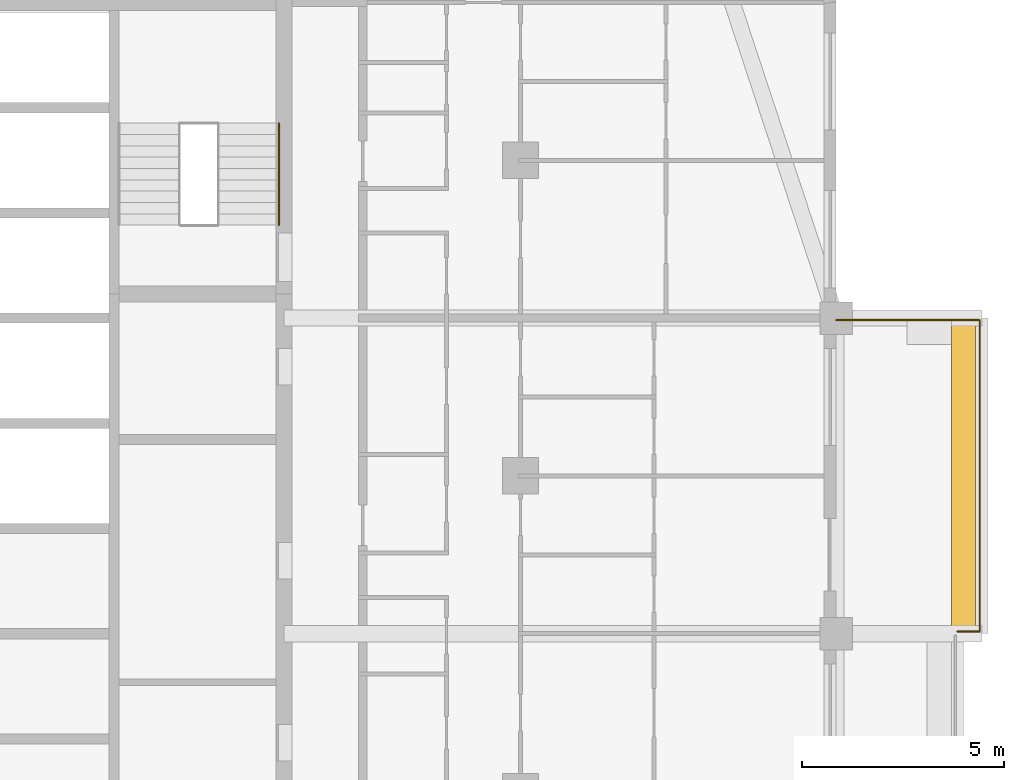
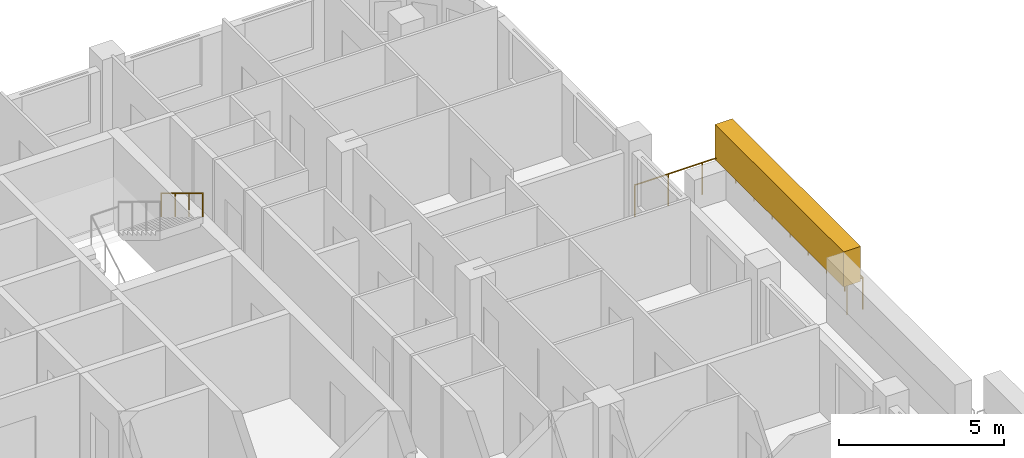
# One storey, part 16 of 16: 2 railings, 1 covering, 1 element without a shape of its own.
"""IFC4 building model written with IfcOpenShell, lengths in metres."""

from ifc_helpers import new_model, si_unit, direction, frame, origin, origin_2d, place, context, subcontext, project, spatial, rectangle, circle, extrude, material, layer, layer_set, type_object, element, aggregate, save


model = new_model("IFC4")

# Units and contexts
model_context = context("Model", 3, precision=1e-05, world=origin(), true_north=direction((0.0, 1.0)))
body_context = subcontext(model_context, "Body", "Model", "MODEL_VIEW")
ifc_project = project(units=[si_unit("LENGTHUNIT", "METRE"), si_unit("AREAUNIT", "SQUARE_METRE"), si_unit("VOLUMEUNIT", "CUBIC_METRE"), si_unit("PLANEANGLEUNIT", "RADIAN"), si_unit("MASSUNIT", "GRAM", prefix="KILO")], contexts=[model_context])

# Site, building, storey
site_placement = place(None, origin())
site = spatial("IfcSite", under=ifc_project, at=site_placement, CompositionType="ELEMENT")
building_placement = place(site_placement, origin())
building = spatial("IfcBuilding", under=site, at=building_placement, Name="Ludao Terraces", CompositionType="ELEMENT")
storey_placement = place(building_placement, frame((0.0, 0.0, 214.300048828125)))
storey = spatial("IfcBuildingStorey", under=building, at=storey_placement, Name="L58", CompositionType="ELEMENT", Elevation=214.300048828125)

# Railing
ifc_material_1 = material(Name="Stainless steel 304", Category="steel")
railing_type_1 = type_object("IfcRailingType", Name="ENV Balcony glass guard 1200", PredefinedType="GUARDRAIL", material=ifc_material_1)
railing_1_placement = place(storey_placement, frame((111.39990234375, 68.949951171875, 0.0)))
element("IfcRailing", 1, at=railing_1_placement, inside=storey, type_object=railing_type_1, Name="Balcony guard L58 E3", PredefinedType="GUARDRAIL", context=body_context, shape_type="SweptSolid", body=[
    extrude(circle(Radius=0.02392578125, at=origin_2d()), frame((0.0, 0.0, 1.17578125), z_axis=(1.0, 0.0, 0.0), x_axis=(0.0, 1.0, 0.0)), (0.0, 0.0, 1.0), 0.550048828125),
    extrude(circle(Radius=0.02392578125, at=origin_2d()), frame((0.550048828125, 0.0, 1.17578125), z_axis=(0.0, 1.0, 0.0), x_axis=(-1.0, 0.0, 0.0)), (0.0, 0.0, 1.0), 7.699951171875),
    extrude(circle(Radius=0.02392578125, at=origin_2d()), frame((0.550048828125, 7.699951171875, 1.17578125), z_axis=(-1.0, 0.0, 0.0), x_axis=(0.0, -1.0, 0.0)), (0.0, 0.0, 1.0), 3.550048828125),
    extrude(circle(Radius=0.02099609375, at=origin_2d()), origin(), (0.0, 0.0, 1.0), 1.15185546875),
    extrude(circle(Radius=0.02099609375, at=origin_2d()), frame((0.550048828125, 0.0, 0.0)), (0.0, 0.0, 1.0), 1.15185546875),
    extrude(circle(Radius=0.02099609375, at=origin_2d()), frame((0.550048828125, 1.10009765625, 0.0)), (0.0, 0.0, 1.0), 1.15185546875),
    extrude(circle(Radius=0.02099609375, at=origin_2d()), frame((0.550048828125, 2.199951171875, 0.0)), (0.0, 0.0, 1.0), 1.15185546875),
    extrude(circle(Radius=0.02099609375, at=origin_2d()), frame((0.550048828125, 3.300048828125, 0.0)), (0.0, 0.0, 1.0), 1.15185546875),
    extrude(circle(Radius=0.02099609375, at=origin_2d()), frame((0.550048828125, 4.39990234375, 0.0)), (0.0, 0.0, 1.0), 1.15185546875),
    extrude(circle(Radius=0.02099609375, at=origin_2d()), frame((0.550048828125, 5.5, 0.0)), (0.0, 0.0, 1.0), 1.15185546875),
    extrude(circle(Radius=0.02099609375, at=origin_2d()), frame((0.550048828125, 6.599853515625, 0.0)), (0.0, 0.0, 1.0), 1.15185546875),
    extrude(circle(Radius=0.02099609375, at=origin_2d()), frame((0.550048828125, 7.699951171875, 0.0)), (0.0, 0.0, 1.0), 1.15185546875),
    extrude(circle(Radius=0.02099609375, at=origin_2d()), frame((-0.63330078125, 7.699951171875, 0.0)), (0.0, 0.0, 1.0), 1.15185546875),
    extrude(circle(Radius=0.02099609375, at=origin_2d()), frame((-1.816650390625, 7.699951171875, 0.0)), (0.0, 0.0, 1.0), 1.15185546875),
    extrude(circle(Radius=0.02099609375, at=origin_2d()), frame((-3.0, 7.699951171875, 0.0)), (0.0, 0.0, 1.0), 1.15185546875),
])

# Covering
ifc_material_2 = material(Name="Planting")
ifc_layer = layer(ifc_material_2, 0.60009765625)
ifc_layer_set = layer_set([ifc_layer], Name="ENV Planting hedge 600x1300")
covering_type = type_object("IfcCoveringType", Name="ENV Planting hedge 600x1300", PredefinedType="USERDEFINED", material=ifc_layer_set)
covering_placement = place(storey_placement, frame((111.550048828125, 72.800048828125, 1.10009765625), z_axis=(0.0, 0.0, 1.0), x_axis=(1.0, 0.0, 0.0)))
element("IfcCovering", 2, at=covering_placement, inside=storey, type_object=covering_type, Name="Planting hedge L58-E3", ObjectType="PLANTING", PredefinedType="USERDEFINED", context=body_context, shape_type="SweptSolid", body=[
    extrude(rectangle(XDim=0.60009765625, YDim=7.800048828125, at=origin_2d()), origin(), (0.0, 0.0, 1.0), 1.300048828125),
])

# Stair, railing
ifc_material_3 = material(Name="Concrete C40", Category="concrete")
stair_type = type_object("IfcStairType", Name="INT Stair", PredefinedType="HALF_TURN_STAIR", material=ifc_material_3)
stair_placement = place(storey_placement, origin())
stair = element("IfcStair", 3, at=stair_placement, inside=storey, type_object=stair_type, Name="EXIT STAIR 2", PredefinedType="HALF_TURN_STAIR")
railing_type_2 = type_object("IfcRailingType", Name="INT Stair handrail 900", PredefinedType="HANDRAIL", material=ifc_material_1)
railing_2_placement = place(storey_placement, frame((94.625, 81.52001953125, 1.869873046875)))
railing_2 = element("IfcRailing", 4, at=railing_2_placement, type_object=railing_type_2, Name="ST-L58-S2-R2H", PredefinedType="HANDRAIL", context=body_context, shape_type="SweptSolid", body=[
    extrude(circle(Radius=0.02392578125, at=origin_2d()), frame((0.0, 0.0, 0.8759765625), z_axis=(0.0, -0.85478489116, 0.518982456201), x_axis=(1.0, 0.0, 0.0)), (0.0, 0.0, 1.0), 2.9482421875),
    extrude(circle(Radius=0.02099609375, at=origin_2d()), origin(), (0.0, 0.0, 1.0), 0.851806640625),
    extrude(circle(Radius=0.02099609375, at=origin_2d()), frame((0.0, -0.840087890625, 0.510009765625)), (0.0, 0.0, 1.0), 0.851806640625),
    extrude(circle(Radius=0.02099609375, at=origin_2d()), frame((0.0, -1.679931640625, 1.02001953125)), (0.0, 0.0, 1.0), 0.851806640625),
    extrude(circle(Radius=0.02099609375, at=origin_2d()), frame((0.0, -2.52001953125, 1.530029296875)), (0.0, 0.0, 1.0), 0.851806640625),
])
aggregate(stair, [railing_2])

save(model, "model.ifc")
